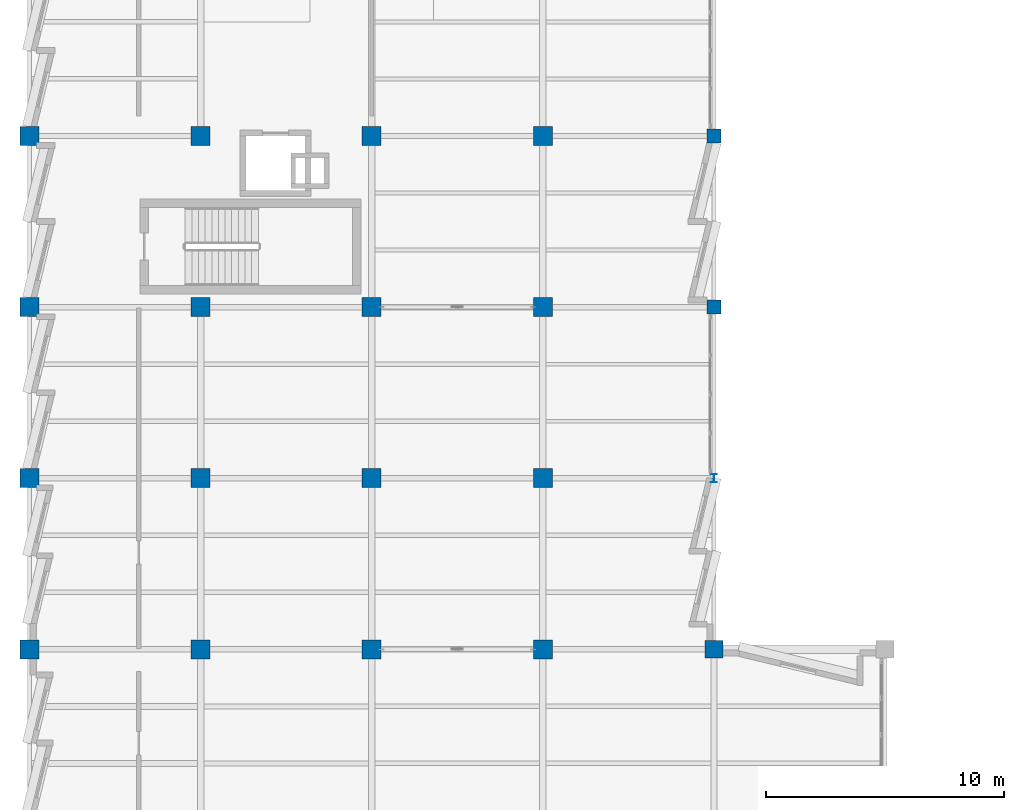
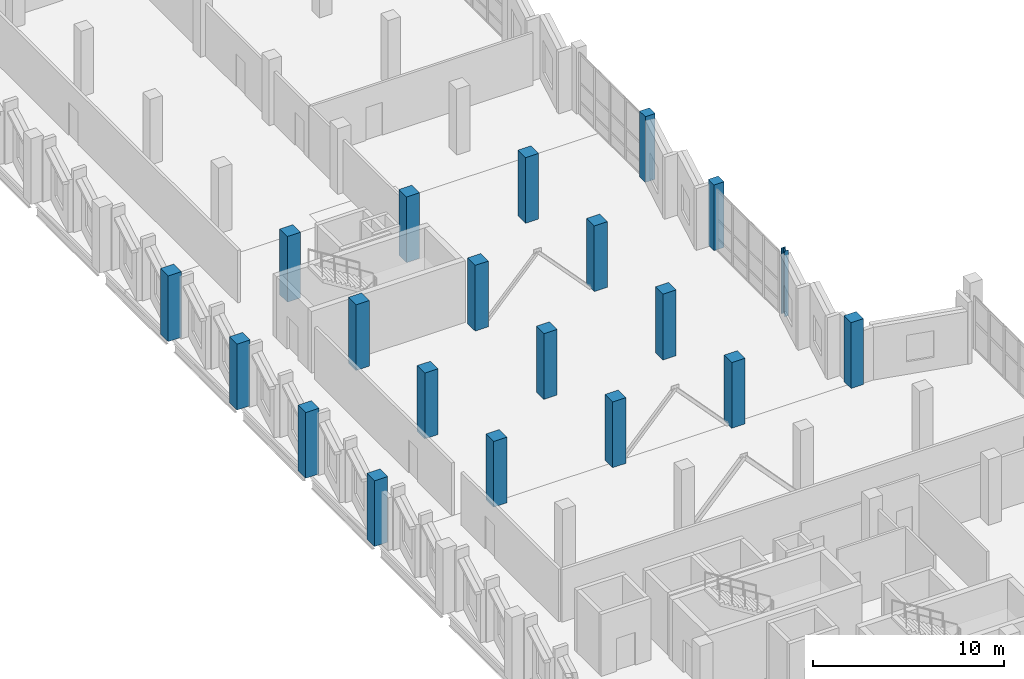
# One storey, part 3 of 94: 20 columns.
"""IFC4 building model written with IfcOpenShell, lengths in metres."""

import ifcopenshell
import ifcopenshell.guid

model = None  # the IFC model being written
_history = None  # IfcOwnerHistory: only IFC2X3 demands one
_inside = {}  # id of a spatial element -> (the spatial element, [elements in it])
_under = {}  # id of a project, library or spatial element -> (it, [spatial elements below it])
_declared = {}  # id of a project -> (the project, [libraries it declares])
_typed = {}  # id of a type object -> (the type object, [elements of that type])
_made_of = {}  # id of a material, layer set ... -> (it, [elements and type objects made of it])


def new_model(schema):
    """Start an empty IFC model of exactly this schema.

    Asked for "IFC4X3", IfcOpenShell would pick the latest addendum, in which some entities
    have other attributes; the version numbers below select the first issue.
    IFC2X3 requires an IfcOwnerHistory on every rooted entity: one is made here for all.
    """
    global model, _history
    if schema == "IFC4X3":
        model = ifcopenshell.file(schema_version=(4, 3, 0, 0))
    else:
        model = ifcopenshell.file(schema=schema)
    _inside.clear()
    _under.clear()
    _declared.clear()
    _typed.clear()
    _made_of.clear()
    _history = None
    if model.schema == "IFC2X3":
        org = make("IfcOrganization", Name="unknown")
        user = make(
            "IfcPersonAndOrganization",
            ThePerson=make("IfcPerson", FamilyName="unknown"),
            TheOrganization=org,
        )
        app = make(
            "IfcApplication",
            ApplicationDeveloper=org,
            Version="unknown",
            ApplicationFullName="unknown",
            ApplicationIdentifier="unknown",
        )
        _history = make(
            "IfcOwnerHistory",
            OwningUser=user,
            OwningApplication=app,
            ChangeAction="ADDED",
            CreationDate=0,
        )
    return model


def make(cls, **values):
    """One entity of the class cls with the attributes given. An attribute that is None is left unset."""
    return model.create_entity(
        cls, **{name: value for name, value in values.items() if value is not None}
    )


def rooted(cls, **values):
    """An entity with a GlobalId (a new one), such as an element, a storey or a relation."""
    return make(cls, GlobalId=ifcopenshell.guid.new(), OwnerHistory=_history, **values)


def si_unit(unit_type, name, prefix=None):
    """IfcSIUnit, for example si_unit("LENGTHUNIT", "METRE", prefix="MILLI")."""
    return make("IfcSIUnit", UnitType=unit_type, Prefix=prefix, Name=name)


def assignment(units):
    """IfcUnitAssignment: the units of a project."""
    return None if units is None else make("IfcUnitAssignment", Units=units)


def point(xyz):
    """IfcCartesianPoint."""
    return None if xyz is None else make("IfcCartesianPoint", Coordinates=xyz)


def direction(xyz):
    """IfcDirection."""
    return None if xyz is None else make("IfcDirection", DirectionRatios=xyz)


def frame(location, z_axis=None, x_axis=None):
    """IfcAxis2Placement3D, a coordinate frame: its origin and axes. An axis left out is left unset."""
    return make(
        "IfcAxis2Placement3D",
        Location=point(location),
        Axis=direction(z_axis),
        RefDirection=direction(x_axis),
    )


def frame_2d(location, x_axis=None):
    """IfcAxis2Placement2D, a coordinate frame in the plane: its origin and x axis."""
    return make(
        "IfcAxis2Placement2D", Location=point(location), RefDirection=direction(x_axis)
    )


def origin():
    """The frame at (0, 0, 0) with its axes left unset."""
    return frame((0.0, 0.0, 0.0))


def origin_2d():
    """The frame at (0, 0) in the plane with its x axis left unset."""
    return frame_2d((0.0, 0.0))


def place(relative_to, where):
    """IfcLocalPlacement: puts the frame where relative to a parent placement (None: the world)."""
    return make(
        "IfcLocalPlacement", PlacementRelTo=relative_to, RelativePlacement=where
    )


def context(
    kind, dimensions, precision=None, world=None, true_north=None, identifier=None
):
    """IfcGeometricRepresentationContext, for example the 3D "Model" context."""
    return make(
        "IfcGeometricRepresentationContext",
        ContextIdentifier=identifier,
        ContextType=kind,
        CoordinateSpaceDimension=dimensions,
        Precision=precision,
        WorldCoordinateSystem=world,
        TrueNorth=true_north,
    )


def subcontext(parent, identifier, kind, view, scale=None):
    """IfcGeometricRepresentationSubContext, for example "Body" below "Model"."""
    return make(
        "IfcGeometricRepresentationSubContext",
        ContextIdentifier=identifier,
        ContextType=kind,
        ParentContext=parent,
        TargetScale=scale,
        TargetView=view,
    )


def project(units=None, contexts=None):
    """IfcProject with its units and contexts."""
    return rooted(
        "IfcProject",
        Name="project",
        RepresentationContexts=contexts,
        UnitsInContext=assignment(units),
    )


def spatial(cls, under=None, at=None, **own):
    """A site, building, storey or space (cls), placed at a placement, below another one or the project."""
    s = rooted(cls, ObjectPlacement=at, **own)
    if under is not None:
        _under.setdefault(under.id(), (under, []))[1].append(s)
    return s


def profile(cls, at=None, kind="AREA", **sizes):
    """A parametric profile (cls). Its sizes go by their IFC names, for example OverallWidth=200.0."""
    return make(cls, ProfileType=kind, Position=at, **sizes)


def rectangle(**sizes):
    """IfcRectangleProfileDef."""
    return profile("IfcRectangleProfileDef", **sizes)


def i_section(**sizes):
    """IfcIShapeProfileDef."""
    return profile("IfcIShapeProfileDef", **sizes)


def extrude(swept, where, along, depth):
    """IfcExtrudedAreaSolid: the profile swept, set in the frame where, extruded along a direction by depth."""
    return make(
        "IfcExtrudedAreaSolid",
        SweptArea=swept,
        Position=where,
        ExtrudedDirection=direction(along),
        Depth=depth,
    )


def shape(context_of_items, identifier, shape_type, items):
    """IfcShapeRepresentation: the items that make up one representation, for example the "Body"."""
    return make(
        "IfcShapeRepresentation",
        ContextOfItems=context_of_items,
        RepresentationIdentifier=identifier,
        RepresentationType=shape_type,
        Items=items,
    )


def material(Name=None, Category=None):
    """IfcMaterial."""
    return make("IfcMaterial", Name=Name, Category=Category)


def material_profile(
    of_material, cross_section, Name=None, Category=None, Priority=None
):
    """IfcMaterialProfile: a cross section and its material."""
    return make(
        "IfcMaterialProfile",
        Name=Name,
        Material=of_material,
        Profile=cross_section,
        Priority=Priority,
        Category=Category,
    )


def profile_set(profiles, Name=None, composite=None):
    """IfcMaterialProfileSet."""
    return make(
        "IfcMaterialProfileSet",
        Name=Name,
        MaterialProfiles=profiles,
        CompositeProfile=composite,
    )


def made_of(thing, what):
    """Note that an element or type object is made of a material, layer set ...; save() writes the relation."""
    if what is not None:
        _made_of.setdefault(what.id(), (what, []))[1].append(thing)
    return thing


def type_object(cls, material=None, **own):
    """A type object (cls), such as IfcWallType, which elements share."""
    return made_of(rooted(cls, **own), material)


def element(
    cls,
    number,
    at=None,
    inside=None,
    cuts=None,
    type_object=None,
    material=None,
    context=None,
    identifier="Body",
    shape_type=None,
    held_by="IfcProductDefinitionShape",
    body=None,
    shapes=None,
    **own,
):
    """One element of the class cls, such as IfcWall. Its Tag is "e" and its number.

    at: its placement. inside: the storey or other place that contains it. cuts: it is an
    opening in that element (IfcRelVoidsElement). A single representation is given by context,
    identifier, shape_type and body (its items); several are given by shapes. held_by: the class
    of the entity that holds the representations. save() writes the other relations.
    """
    e = rooted(cls, Tag="e%d" % number, ObjectPlacement=at, **own)
    if body is not None:
        shapes = [shape(context, identifier, shape_type, body)]
    if shapes is not None:
        e.Representation = make(held_by, Representations=shapes)
    if inside is not None:
        _inside.setdefault(inside.id(), (inside, []))[1].append(e)
    if cuts is not None:
        rooted(
            "IfcRelVoidsElement", RelatingBuildingElement=cuts, RelatedOpeningElement=e
        )
    if type_object is not None:
        _typed.setdefault(type_object.id(), (type_object, []))[1].append(e)
    return made_of(e, material)


def aggregate(whole, parts):
    """IfcRelAggregates: a whole, such as a stair, and the parts it consists of."""
    return rooted("IfcRelAggregates", RelatingObject=whole, RelatedObjects=parts)


def save(model, path):
    """Write the relations noted so far, then the file.

    IfcRelAggregates (storeys below a building ...), IfcRelContainedInSpatialStructure (elements
    in a storey), IfcRelDefinesByType, IfcRelAssociatesMaterial and IfcRelDeclares: one each for
    every whole, place, type object, material and project.
    """
    for whole, parts in _under.values():
        aggregate(whole, parts)
    for where, things in _inside.values():
        rooted(
            "IfcRelContainedInSpatialStructure",
            RelatedElements=things,
            RelatingStructure=where,
        )
    for kind, things in _typed.values():
        rooted("IfcRelDefinesByType", RelatedObjects=things, RelatingType=kind)
    for what, things in _made_of.values():
        rooted("IfcRelAssociatesMaterial", RelatedObjects=things, RelatingMaterial=what)
    for by, libraries in _declared.values():
        rooted("IfcRelDeclares", RelatingContext=by, RelatedDefinitions=libraries)
    model.write(path)


model = new_model("IFC4")

# Units and contexts
model_context = context("Model", 3, precision=1e-05, world=origin(), true_north=direction((0.0, 1.0)))
body_context = subcontext(model_context, "Body", "Model", "MODEL_VIEW")
ifc_project = project(units=[si_unit("LENGTHUNIT", "METRE"), si_unit("AREAUNIT", "SQUARE_METRE"), si_unit("VOLUMEUNIT", "CUBIC_METRE"), si_unit("PLANEANGLEUNIT", "RADIAN"), si_unit("MASSUNIT", "GRAM", prefix="KILO")], contexts=[model_context])

# Site, building, storey
site_placement = place(None, origin())
site = spatial("IfcSite", under=ifc_project, at=site_placement, CompositionType="ELEMENT")
building_placement = place(site_placement, origin())
building = spatial("IfcBuilding", under=site, at=building_placement, Name="Kalmorath City Hall", CompositionType="ELEMENT")
storey_placement = place(building_placement, frame((0.0, 0.0, 14.699951171875)))
storey = spatial("IfcBuildingStorey", under=building, at=storey_placement, Name="L03", CompositionType="ELEMENT", Elevation=14.699951171875)

# Columns
ifc_material_1 = material(Name="Concrete C50/60", Category="concrete")
ifc_material_profile_1 = material_profile(ifc_material_1, rectangle(XDim=0.60009765625, YDim=0.60009765625, at=origin_2d()), Name="RC-COL-600X600")
ifc_profile_set_1 = profile_set([ifc_material_profile_1], Name="Concrete C50/60")
column_type_1 = type_object("IfcColumnType", Name="Concrete column 600x600", PredefinedType="COLUMN", material=ifc_profile_set_1)
for number, where, z_axis, x_axis, name in (
    (1, (28.800048828125, 50.39990234375, 0.0), (0.0, 0.0, 1.0), (1.0, 0.0, 0.0), "L03 column C6 (5/8)"),
    (2, (28.800048828125, 57.60009765625, 0.0), (0.0, 0.0, 1.0), (1.0, 0.0, 0.0), "L03 column C6 (5/9)"),
):
    element("IfcColumn", number, at=place(storey_placement, frame(where, z_axis=z_axis, x_axis=x_axis)), inside=storey, type_object=column_type_1, Name=name, PredefinedType="COLUMN", context=body_context, shape_type="SweptSolid", body=[
        extrude(rectangle(XDim=0.60009765625, YDim=0.60009765625, at=origin_2d()), origin(), (0.0, 0.0, 1.0), 4.199951171875),
    ])
ifc_material_2 = material(Name="Concrete C50/60", Category="concrete")
ifc_material_profile_2 = material_profile(ifc_material_2, rectangle(XDim=0.75, YDim=0.75, at=origin_2d()), Name="RC-COL-750X750")
ifc_profile_set_2 = profile_set([ifc_material_profile_2], Name="Concrete C50/60")
column_type_2 = type_object("IfcColumnType", Name="Concrete column 750x750", PredefinedType="COLUMN", material=ifc_profile_set_2)
column_1_placement = place(storey_placement, frame((28.800048828125, 36.0, 0.0), z_axis=(0.0, 0.0, 1.0), x_axis=(1.0, 0.0, 0.0)))
element("IfcColumn", 3, at=column_1_placement, inside=storey, type_object=column_type_2, Name="L03 column C3 (5/6)", PredefinedType="COLUMN", context=body_context, shape_type="SweptSolid", body=[
    extrude(rectangle(XDim=0.75, YDim=0.75, at=origin_2d()), origin(), (0.0, 0.0, 1.0), 4.199951171875),
])
ifc_material_3 = material(Name="Concrete C50/60", Category="concrete")
ifc_material_profile_3 = material_profile(ifc_material_3, rectangle(XDim=0.800048828125, YDim=0.800048828125, at=origin_2d()), Name="RC-COL-800X800")
ifc_profile_set_3 = profile_set([ifc_material_profile_3], Name="Concrete C50/60")
column_type_3 = type_object("IfcColumnType", Name="Concrete column 800x800", PredefinedType="COLUMN", material=ifc_profile_set_3)
for number, where, z_axis, x_axis, name in (
    (4, (0.0, 36.0, 0.0), (0.0, 0.0, 1.0), (1.0, 0.0, 0.0), "L03 column C2 (1/6)"),
    (5, (0.0, 43.199951171875, 0.0), (0.0, 0.0, 1.0), (1.0, 0.0, 0.0), "L03 column C2 (1/7)"),
    (6, (0.0, 50.39990234375, 0.0), (0.0, 0.0, 1.0), (1.0, 0.0, 0.0), "L03 column C2 (1/8)"),
    (7, (0.0, 57.60009765625, 0.0), (0.0, 0.0, 1.0), (1.0, 0.0, 0.0), "L03 column C2 (1/9)"),
    (8, (7.199951171875, 36.0, 0.0), (0.0, 0.0, 1.0), (1.0, 0.0, 0.0), "L03 column C2 (2/6)"),
    (9, (7.199951171875, 43.199951171875, 0.0), (0.0, 0.0, 1.0), (1.0, 0.0, 0.0), "L03 column C2 (2/7)"),
    (10, (7.199951171875, 50.39990234375, 0.0), (0.0, 0.0, 1.0), (1.0, 0.0, 0.0), "L03 column C2 (2/8)"),
    (11, (7.199951171875, 57.60009765625, 0.0), (0.0, 0.0, 1.0), (1.0, 0.0, 0.0), "L03 column C2 (2/9)"),
    (12, (14.39990234375, 36.0, 0.0), (0.0, 0.0, 1.0), (1.0, 0.0, 0.0), "L03 column C2 (3/6)"),
    (13, (14.39990234375, 43.199951171875, 0.0), (0.0, 0.0, 1.0), (1.0, 0.0, 0.0), "L03 column C2 (3/7)"),
    (14, (14.39990234375, 50.39990234375, 0.0), (0.0, 0.0, 1.0), (1.0, 0.0, 0.0), "L03 column C2 (3/8)"),
    (15, (14.39990234375, 57.60009765625, 0.0), (0.0, 0.0, 1.0), (1.0, 0.0, 0.0), "L03 column C2 (3/9)"),
    (16, (21.60009765625, 36.0, 0.0), (0.0, 0.0, 1.0), (1.0, 0.0, 0.0), "L03 column C2 (4/6)"),
    (17, (21.60009765625, 43.199951171875, 0.0), (0.0, 0.0, 1.0), (1.0, 0.0, 0.0), "L03 column C2 (4/7)"),
    (18, (21.60009765625, 50.39990234375, 0.0), (0.0, 0.0, 1.0), (1.0, 0.0, 0.0), "L03 column C2 (4/8)"),
    (19, (21.60009765625, 57.60009765625, 0.0), (0.0, 0.0, 1.0), (1.0, 0.0, 0.0), "L03 column C2 (4/9)"),
):
    element("IfcColumn", number, at=place(storey_placement, frame(where, z_axis=z_axis, x_axis=x_axis)), inside=storey, type_object=column_type_3, Name=name, PredefinedType="COLUMN", context=body_context, shape_type="SweptSolid", body=[
        extrude(rectangle(XDim=0.800048828125, YDim=0.800048828125, at=origin_2d()), origin(), (0.0, 0.0, 1.0), 4.199951171875),
    ])
ifc_material_4 = material(Name="Steel ASTM A992 Grade 50", Category="steel")
ifc_material_profile_4 = material_profile(ifc_material_4, i_section(OverallWidth=0.25390625, OverallDepth=0.35302734375, WebThickness=0.009521484375, FlangeThickness=0.016357421875, FilletRadius=0.014892578125, at=origin_2d()), Name="W14X61")
ifc_profile_set_4 = profile_set([ifc_material_profile_4], Name="Steel ASTM A992 Grade 50")
column_type_4 = type_object("IfcColumnType", Name="Steel wide-flange column W14X61", PredefinedType="COLUMN", material=ifc_profile_set_4)
column_2_placement = place(storey_placement, frame((28.800048828125, 43.199951171875, 0.0), z_axis=(0.0, 0.0, 1.0), x_axis=(1.0, 0.0, 0.0)))
element("IfcColumn", 20, at=column_2_placement, inside=storey, type_object=column_type_4, Name="L03 column SC1 (5/7)", PredefinedType="COLUMN", context=body_context, shape_type="SweptSolid", body=[
    extrude(i_section(OverallWidth=0.25390625, OverallDepth=0.35302734375, WebThickness=0.009521484375, FlangeThickness=0.016357421875, FilletRadius=0.014892578125, at=origin_2d()), origin(), (0.0, 0.0, 1.0), 4.199951171875),
])

save(model, "model.ifc")
